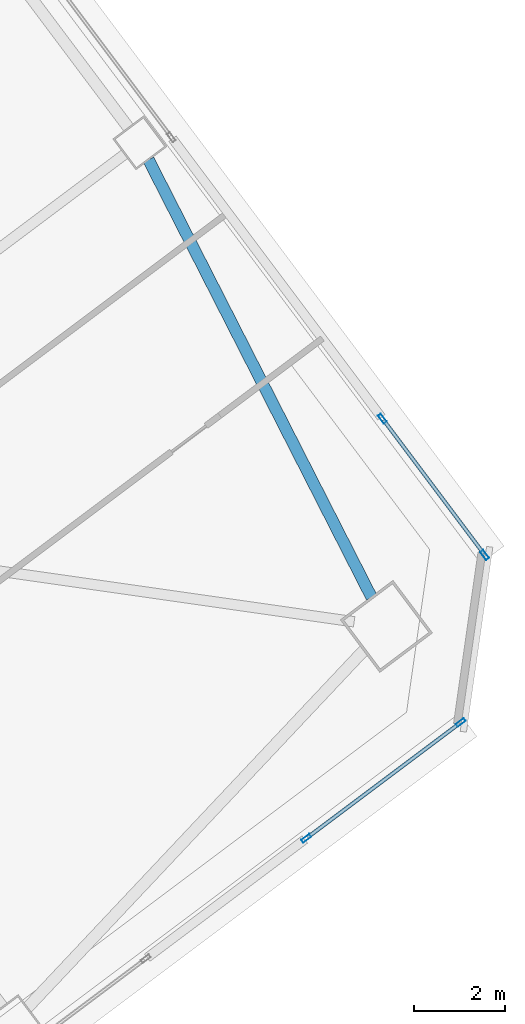
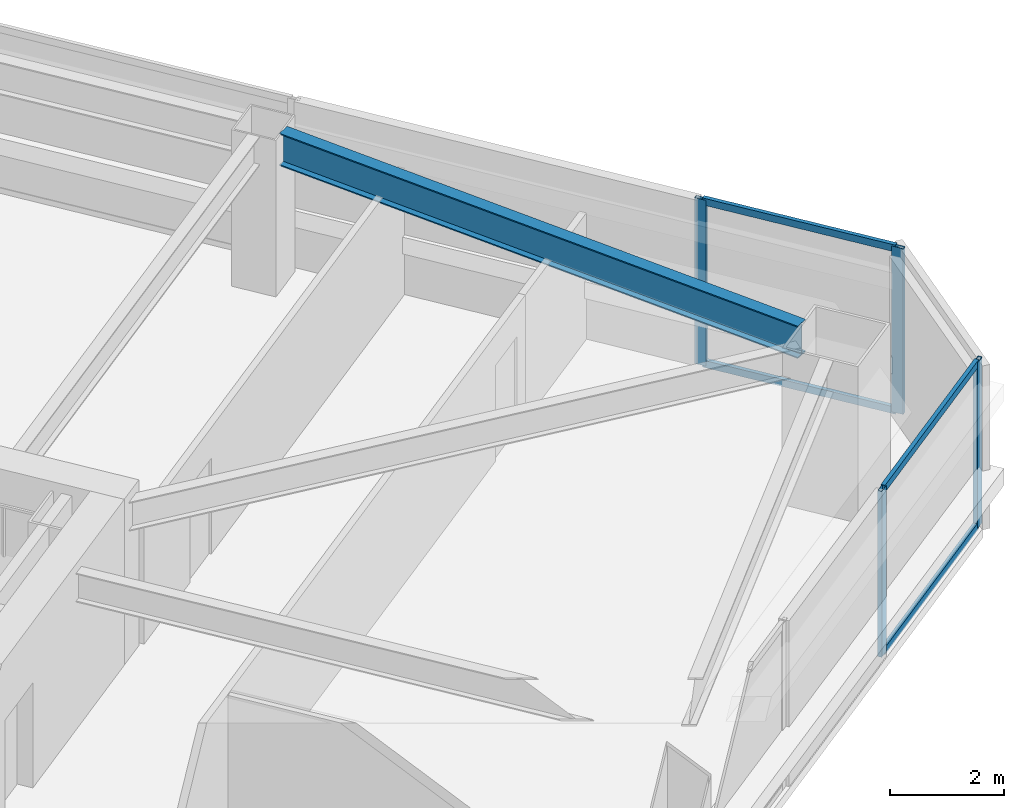
# One storey, part 28 of 47: 8 members, 1 beam, 2 elements without a shape of their own.
"""IFC4 building model written with IfcOpenShell, lengths in metres."""

from ifc_helpers import new_model, si_unit, direction, frame, origin, origin_2d, place, context, subcontext, project, spatial, hollow_rectangle, i_section, extrude, material, material_profile, profile_set, type_object, element, aggregate, save


model = new_model("IFC4")

# Units and contexts
model_context = context("Model", 3, precision=1e-05, world=origin(), true_north=direction((0.0, 1.0)))
body_context = subcontext(model_context, "Body", "Model", "MODEL_VIEW")
ifc_project = project(units=[si_unit("LENGTHUNIT", "METRE"), si_unit("AREAUNIT", "SQUARE_METRE"), si_unit("VOLUMEUNIT", "CUBIC_METRE"), si_unit("PLANEANGLEUNIT", "RADIAN"), si_unit("MASSUNIT", "GRAM", prefix="KILO")], contexts=[model_context])

# Site, building, storey
site_placement = place(None, origin())
site = spatial("IfcSite", under=ifc_project, at=site_placement, CompositionType="ELEMENT")
building_placement = place(site_placement, origin())
building = spatial("IfcBuilding", under=site, at=building_placement, Name="Tashvorn Skyway Center", CompositionType="ELEMENT")
storey_placement = place(building_placement, frame((0.0, 0.0, 81.39990234375)))
storey = spatial("IfcBuildingStorey", under=building, at=storey_placement, Name="L21", CompositionType="ELEMENT", Elevation=81.39990234375)

# Beam
ifc_material_1 = material(Name="Steel ASTM A992 Grade 50", Category="steel")
ifc_material_profile_1 = material_profile(ifc_material_1, i_section(OverallWidth=0.256103515625, OverallDepth=0.693115234375, WebThickness=0.014404296875, FlangeThickness=0.023681640625, at=origin_2d()), Name="W27X114")
ifc_profile_set_1 = profile_set([ifc_material_profile_1], Name="Steel ASTM A992 Grade 50")
beam_type = type_object("IfcBeamType", Name="BM-SPANDREL-W27X114", PredefinedType="SPANDREL", material=ifc_profile_set_1)
beam_placement = place(storey_placement, frame((137.7529296875, 29.201416015625, 3.003662109375), z_axis=(-0.454210938961, 0.890894170442, 0.0), x_axis=(-0.890894170442, -0.454210938961, 0.0)))
element("IfcBeam", 1, at=beam_placement, inside=storey, type_object=beam_type, Name="Tower 2 L21 Spandrel Beam 04", PredefinedType="SPANDREL", context=body_context, shape_type="SweptSolid", body=[
    extrude(i_section(OverallWidth=0.256103515625, OverallDepth=0.693115234375, WebThickness=0.014404296875, FlangeThickness=0.023681640625, at=origin_2d()), origin(), (0.0, 0.0, 1.0), 10.836669921875),
])

# Curtain wall, members
ifc_material_2 = material(Name="Thermally broken bronze-anodized aluminium 6063-T6", Category="aluminium")
curtain_wall_type = type_object("IfcCurtainWallType", Name="CW-CW-Z2", PredefinedType="NOTDEFINED", material=ifc_material_2)
curtain_wall_1_placement = place(storey_placement, origin())
curtain_wall_1 = element("IfcCurtainWall", 2, at=curtain_wall_1_placement, inside=storey, type_object=curtain_wall_type, Name="Tower 2 L21 South Curtain Wall L Glazing Group 1", PredefinedType="NOTDEFINED")
ifc_material_profile_2 = material_profile(ifc_material_2, hollow_rectangle(XDim=0.080078125, YDim=0.219970703125, WallThickness=0.0048828125, at=origin_2d()), Name="ALU-MULL-80x220")
ifc_profile_set_2 = profile_set([ifc_material_profile_2], Name="Thermally broken bronze-anodized aluminium 6063-T6")
member_type_1 = type_object("IfcMemberType", Name="CWM-CW-Z2", PredefinedType="MULLION", material=ifc_profile_set_2)
member_1_placement = place(storey_placement, frame((139.719970703125, 26.43994140625, 0.0), z_axis=(0.0, 0.0, 1.0), x_axis=(0.599996316206, -0.800002762832, 0.0)))
member_1 = element("IfcMember", 3, at=member_1_placement, type_object=member_type_1, Name="CW-Z2 mullion 1", PredefinedType="MULLION", context=body_context, shape_type="SweptSolid", body=[
    extrude(hollow_rectangle(XDim=0.080078125, YDim=0.219970703125, WallThickness=0.0048828125, at=origin_2d()), origin(), (0.0, 0.0, 1.0), 3.550048828125),
])
member_2_placement = place(storey_placement, frame((136.309326171875, 23.882080078125, 0.0), z_axis=(0.0, 0.0, 1.0), x_axis=(0.599996316206, -0.800002762832, 0.0)))
member_2 = element("IfcMember", 4, at=member_2_placement, type_object=member_type_1, Name="CW-Z2 mullion 2", PredefinedType="MULLION", context=body_context, shape_type="SweptSolid", body=[
    extrude(hollow_rectangle(XDim=0.080078125, YDim=0.219970703125, WallThickness=0.0048828125, at=origin_2d()), origin(), (0.0, 0.0, 1.0), 3.550048828125),
])

curtain_wall_2_placement = place(storey_placement, origin())
curtain_wall_2 = element("IfcCurtainWall", 5, at=curtain_wall_2_placement, inside=storey, type_object=curtain_wall_type, Name="Tower 2 L21 East Unitised Curtain Wall Glazing Group 3", PredefinedType="NOTDEFINED")
member_3_placement = place(storey_placement, frame((137.991943359375, 33.14404296875, 0.0), z_axis=(0.0, 0.0, 1.0), x_axis=(0.799999999998, 0.600000000002, 0.0)))
member_3 = element("IfcMember", 6, at=member_3_placement, type_object=member_type_1, Name="CW-Z2 mullion 1", PredefinedType="MULLION", context=body_context, shape_type="SweptSolid", body=[
    extrude(hollow_rectangle(XDim=0.080078125, YDim=0.219970703125, WallThickness=0.0048828125, at=origin_2d()), origin(), (0.0, 0.0, 1.0), 3.550048828125),
])
member_4_placement = place(storey_placement, frame((140.248046875, 30.135986328125, 0.0), z_axis=(0.0, 0.0, 1.0), x_axis=(0.799999999998, 0.600000000002, 0.0)))
member_4 = element("IfcMember", 7, at=member_4_placement, type_object=member_type_1, Name="CW-Z2 mullion 2", PredefinedType="MULLION", context=body_context, shape_type="SweptSolid", body=[
    extrude(hollow_rectangle(XDim=0.080078125, YDim=0.219970703125, WallThickness=0.0048828125, at=origin_2d()), origin(), (0.0, 0.0, 1.0), 3.550048828125),
])

# Member
ifc_material_profile_3 = material_profile(ifc_material_2, hollow_rectangle(XDim=0.080078125, YDim=0.14990234375, WallThickness=0.00439453125, at=origin_2d()), Name="ALU-TRAN-80x150")
ifc_profile_set_3 = profile_set([ifc_material_profile_3], Name="Thermally broken bronze-anodized aluminium 6063-T6")
member_type_2 = type_object("IfcMemberType", Name="CWT-CW-Z2", PredefinedType="USERDEFINED", material=ifc_profile_set_3)
member_5_placement = place(storey_placement, frame((139.68798828125, 26.416015625, 0.0400390625), z_axis=(-0.8, -0.6, 0.0), x_axis=(0.6, -0.8, 0.0)))
member_5 = element("IfcMember", 8, at=member_5_placement, type_object=member_type_2, Name="CW-Z2 transom 1.1", ObjectType="TRANSOM", PredefinedType="USERDEFINED", context=body_context, shape_type="SweptSolid", body=[
    extrude(hollow_rectangle(XDim=0.080078125, YDim=0.14990234375, WallThickness=0.00439453125, at=origin_2d()), origin(), (0.0, 0.0, 1.0), 4.183349609375),
])

member_6_placement = place(storey_placement, frame((139.68798828125, 26.416015625, 3.510009765625), z_axis=(-0.8, -0.6, 0.0), x_axis=(0.6, -0.8, 0.0)))
member_6 = element("IfcMember", 9, at=member_6_placement, type_object=member_type_2, Name="CW-Z2 transom 1.2", ObjectType="TRANSOM", PredefinedType="USERDEFINED", context=body_context, shape_type="SweptSolid", body=[
    extrude(hollow_rectangle(XDim=0.080078125, YDim=0.14990234375, WallThickness=0.00439453125, at=origin_2d()), origin(), (0.0, 0.0, 1.0), 4.183349609375),
])

aggregate(curtain_wall_1, [member_1, member_2, member_5, member_6])

member_7_placement = place(storey_placement, frame((138.01611328125, 33.112060546875, 0.0400390625), z_axis=(0.599989385363, -0.800007960868, 0.0), x_axis=(0.800007960868, 0.599989385363, 0.0)))
member_7 = element("IfcMember", 10, at=member_7_placement, type_object=member_type_2, Name="CW-Z2 transom 1.1", ObjectType="TRANSOM", PredefinedType="USERDEFINED", context=body_context, shape_type="SweptSolid", body=[
    extrude(hollow_rectangle(XDim=0.080078125, YDim=0.14990234375, WallThickness=0.00439453125, at=origin_2d()), origin(), (0.0, 0.0, 1.0), 3.68017578125),
])

member_8_placement = place(storey_placement, frame((138.01611328125, 33.112060546875, 3.510009765625), z_axis=(0.599989385363, -0.800007960868, 0.0), x_axis=(0.800007960868, 0.599989385363, 0.0)))
member_8 = element("IfcMember", 11, at=member_8_placement, type_object=member_type_2, Name="CW-Z2 transom 1.2", ObjectType="TRANSOM", PredefinedType="USERDEFINED", context=body_context, shape_type="SweptSolid", body=[
    extrude(hollow_rectangle(XDim=0.080078125, YDim=0.14990234375, WallThickness=0.00439453125, at=origin_2d()), origin(), (0.0, 0.0, 1.0), 3.68017578125),
])

aggregate(curtain_wall_2, [member_3, member_4, member_7, member_8])

save(model, "model.ifc")
